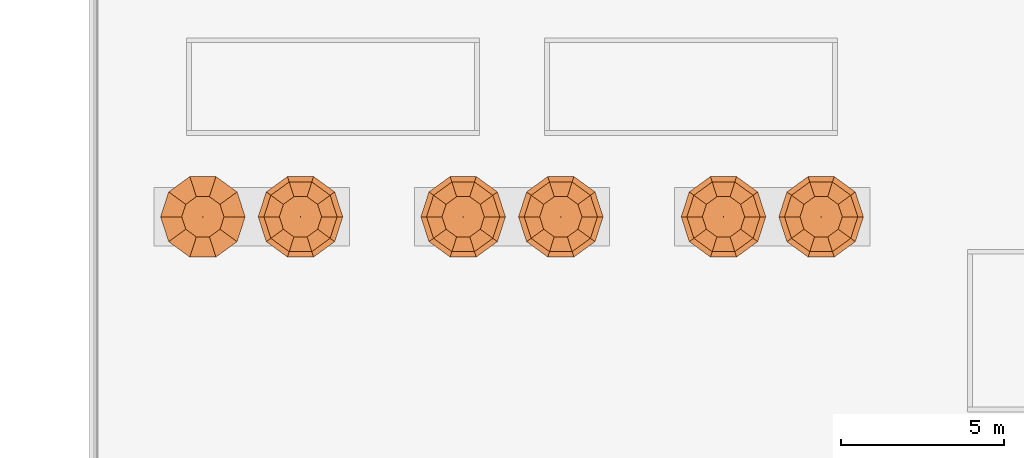
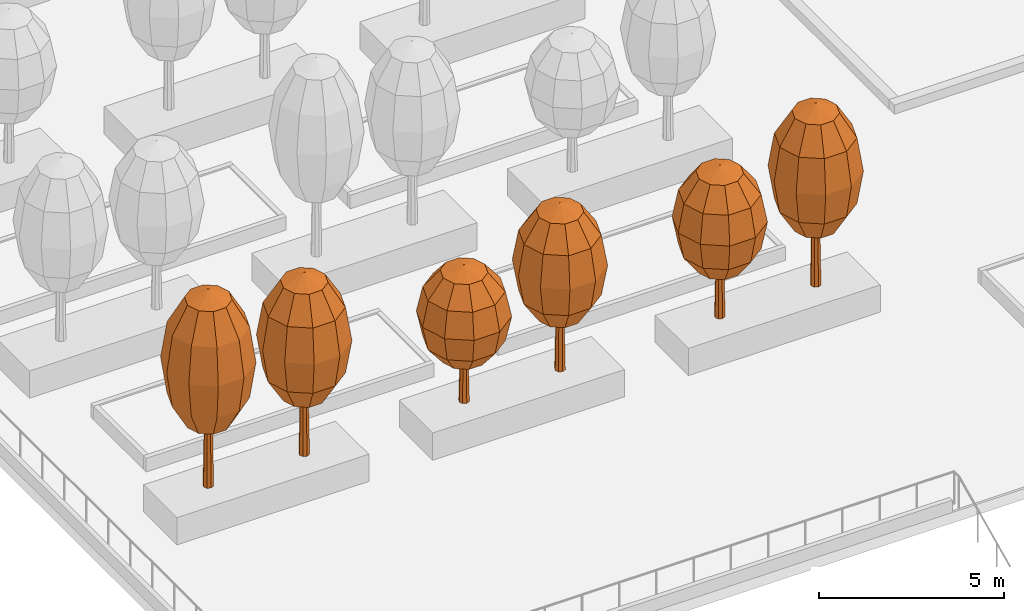
# One storey, part 93 of 100: 6 proxies.
"""IFC4 building model written with IfcOpenShell, lengths in metres."""

from ifc_helpers import new_model, si_unit, direction, frame, origin, place, context, subcontext, project, spatial, triangles, element, save


model = new_model("IFC4")

# Units and contexts
model_context = context("Model", 3, precision=1e-05, world=origin(), true_north=direction((0.0, 1.0)))
body_context = subcontext(model_context, "Body", "Model", "MODEL_VIEW")
ifc_project = project(units=[si_unit("LENGTHUNIT", "METRE"), si_unit("AREAUNIT", "SQUARE_METRE"), si_unit("VOLUMEUNIT", "CUBIC_METRE"), si_unit("PLANEANGLEUNIT", "RADIAN"), si_unit("MASSUNIT", "GRAM", prefix="KILO")], contexts=[model_context])

# Site, building, storey
site_placement = place(None, origin())
site = spatial("IfcSite", under=ifc_project, at=site_placement, CompositionType="ELEMENT")
building_placement = place(site_placement, origin())
building = spatial("IfcBuilding", under=site, at=building_placement, Name="Hakoniwa Tower and Hamabe Station Hall", CompositionType="ELEMENT")
storey_placement = place(building_placement, frame((0.0, 0.0, 9.0)))
storey = spatial("IfcBuildingStorey", under=building, at=storey_placement, Name="L02", CompositionType="ELEMENT", Elevation=9.0)

# Proxies
proxy_1_placement = place(storey_placement, frame((-20.5, -57.0, 0.89990234375)))
element("IfcBuildingElementProxy", 1, at=proxy_1_placement, inside=storey, Name="Tree Quercus phillyraeoides 01-1", ObjectType="TREE", PredefinedType="USERDEFINED", context=body_context, shape_type="Tessellation", body=[
    triangles([(0.14990234375, 0.0, 0.0), (0.106201171875, 0.106201171875, 0.0), (0.0, 0.14990234375, 0.0), (-0.106201171875, 0.106201171875, 0.0), (-0.14990234375, 0.0, 0.0), (-0.106201171875, -0.106201171875, 0.0), (0.0, -0.14990234375, 0.0), (0.106201171875, -0.106201171875, 0.0), (0.090087890625, 0.0, 3.926025390625), (0.063720703125, 0.063720703125, 3.926025390625), (0.0, 0.090087890625, 3.926025390625), (-0.063720703125, 0.063720703125, 3.926025390625), (-0.090087890625, 0.0, 3.926025390625), (-0.063720703125, -0.063720703125, 3.926025390625), (0.0, -0.090087890625, 3.926025390625), (0.063720703125, -0.063720703125, 3.926025390625), (0.0, 0.0, 0.0), (0.0, 0.0, 3.926025390625)], [[1, 2, 10], [1, 10, 9], [17, 2, 1], [18, 9, 10], [2, 3, 11], [2, 11, 10], [17, 3, 2], [18, 10, 11], [3, 4, 12], [3, 12, 11], [17, 4, 3], [18, 11, 12], [4, 5, 13], [4, 13, 12], [17, 5, 4], [18, 12, 13], [5, 6, 14], [5, 14, 13], [17, 6, 5], [18, 13, 14], [6, 7, 15], [6, 15, 14], [17, 7, 6], [18, 14, 15], [7, 8, 16], [7, 16, 15], [17, 8, 7], [18, 15, 16], [8, 1, 9], [8, 9, 16], [17, 1, 8], [18, 16, 9]], closed=True),
    triangles([(0.0, 0.0, 1.820068359375), (0.64990234375, 0.0, 2.133544921875), (0.52587890625, 0.382080078125, 2.133544921875), (0.200927734375, 0.6181640625, 2.133544921875), (-0.200927734375, 0.6181640625, 2.133544921875), (-0.52587890625, 0.382080078125, 2.133544921875), (-0.64990234375, 0.0, 2.133544921875), (-0.52587890625, -0.382080078125, 2.133544921875), (-0.200927734375, -0.6181640625, 2.133544921875), (0.200927734375, -0.6181640625, 2.133544921875), (0.52587890625, -0.382080078125, 2.133544921875), (1.1259765625, 0.0, 2.989990234375), (0.910888671875, 0.661865234375, 2.989990234375), (0.347900390625, 1.07080078125, 2.989990234375), (-0.347900390625, 1.07080078125, 2.989990234375), (-0.910888671875, 0.661865234375, 2.989990234375), (-1.1259765625, 0.0, 2.989990234375), (-0.910888671875, -0.661865234375, 2.989990234375), (-0.347900390625, -1.07080078125, 2.989990234375), (0.347900390625, -1.07080078125, 2.989990234375), (0.910888671875, -0.661865234375, 2.989990234375), (1.300048828125, 0.0, 4.159912109375), (1.0517578125, 0.76416015625, 4.159912109375), (0.40185546875, 1.236328125, 4.159912109375), (-0.40185546875, 1.236328125, 4.159912109375), (-1.0517578125, 0.76416015625, 4.159912109375), (-1.300048828125, 0.0, 4.159912109375), (-1.0517578125, -0.76416015625, 4.159912109375), (-0.40185546875, -1.236328125, 4.159912109375), (0.40185546875, -1.236328125, 4.159912109375), (1.0517578125, -0.76416015625, 4.159912109375), (1.1259765625, 0.0, 5.330078125), (0.910888671875, 0.661865234375, 5.330078125), (0.347900390625, 1.07080078125, 5.330078125), (-0.347900390625, 1.07080078125, 5.330078125), (-0.910888671875, 0.661865234375, 5.330078125), (-1.1259765625, 0.0, 5.330078125), (-0.910888671875, -0.661865234375, 5.330078125), (-0.347900390625, -1.07080078125, 5.330078125), (0.347900390625, -1.07080078125, 5.330078125), (0.910888671875, -0.661865234375, 5.330078125), (0.64990234375, 0.0, 6.1865234375), (0.52587890625, 0.382080078125, 6.1865234375), (0.200927734375, 0.6181640625, 6.1865234375), (-0.200927734375, 0.6181640625, 6.1865234375), (-0.52587890625, 0.382080078125, 6.1865234375), (-0.64990234375, 0.0, 6.1865234375), (-0.52587890625, -0.382080078125, 6.1865234375), (-0.200927734375, -0.6181640625, 6.1865234375), (0.200927734375, -0.6181640625, 6.1865234375), (0.52587890625, -0.382080078125, 6.1865234375), (0.0, 0.0, 6.5)], [[1, 3, 2], [1, 4, 3], [1, 5, 4], [1, 6, 5], [1, 7, 6], [1, 8, 7], [1, 9, 8], [1, 10, 9], [1, 11, 10], [1, 2, 11], [2, 3, 13], [2, 13, 12], [3, 4, 14], [3, 14, 13], [4, 5, 15], [4, 15, 14], [5, 6, 16], [5, 16, 15], [6, 7, 17], [6, 17, 16], [7, 8, 18], [7, 18, 17], [8, 9, 19], [8, 19, 18], [9, 10, 20], [9, 20, 19], [10, 11, 21], [10, 21, 20], [11, 2, 12], [11, 12, 21], [12, 13, 23], [12, 23, 22], [13, 14, 24], [13, 24, 23], [14, 15, 25], [14, 25, 24], [15, 16, 26], [15, 26, 25], [16, 17, 27], [16, 27, 26], [17, 18, 28], [17, 28, 27], [18, 19, 29], [18, 29, 28], [19, 20, 30], [19, 30, 29], [20, 21, 31], [20, 31, 30], [21, 12, 22], [21, 22, 31], [22, 23, 33], [22, 33, 32], [23, 24, 34], [23, 34, 33], [24, 25, 35], [24, 35, 34], [25, 26, 36], [25, 36, 35], [26, 27, 37], [26, 37, 36], [27, 28, 38], [27, 38, 37], [28, 29, 39], [28, 39, 38], [29, 30, 40], [29, 40, 39], [30, 31, 41], [30, 41, 40], [31, 22, 32], [31, 32, 41], [32, 33, 43], [32, 43, 42], [33, 34, 44], [33, 44, 43], [34, 35, 45], [34, 45, 44], [35, 36, 46], [35, 46, 45], [36, 37, 47], [36, 47, 46], [37, 38, 48], [37, 48, 47], [38, 39, 49], [38, 49, 48], [39, 40, 50], [39, 50, 49], [40, 41, 51], [40, 51, 50], [41, 32, 42], [41, 42, 51], [52, 42, 43], [52, 43, 44], [52, 44, 45], [52, 45, 46], [52, 46, 47], [52, 47, 48], [52, 48, 49], [52, 49, 50], [52, 50, 51], [52, 51, 42]], closed=True),
])
proxy_2_placement = place(storey_placement, frame((-17.5, -57.0, 0.89990234375)))
element("IfcBuildingElementProxy", 2, at=proxy_2_placement, inside=storey, Name="Tree Ilex rotunda 01-2", ObjectType="TREE", PredefinedType="USERDEFINED", context=body_context, shape_type="Tessellation", body=[
    triangles([(0.14990234375, 0.0, 0.0), (0.106201171875, 0.106201171875, 0.0), (0.0, 0.14990234375, 0.0), (-0.106201171875, 0.106201171875, 0.0), (-0.14990234375, 0.0, 0.0), (-0.106201171875, -0.106201171875, 0.0), (0.0, -0.14990234375, 0.0), (0.106201171875, -0.106201171875, 0.0), (0.090087890625, 0.0, 3.6240234375), (0.063720703125, 0.063720703125, 3.6240234375), (0.0, 0.090087890625, 3.6240234375), (-0.063720703125, 0.063720703125, 3.6240234375), (-0.090087890625, 0.0, 3.6240234375), (-0.063720703125, -0.063720703125, 3.6240234375), (0.0, -0.090087890625, 3.6240234375), (0.063720703125, -0.063720703125, 3.6240234375), (0.0, 0.0, 0.0), (0.0, 0.0, 3.6240234375)], [[1, 2, 10], [1, 10, 9], [17, 2, 1], [18, 9, 10], [2, 3, 11], [2, 11, 10], [17, 3, 2], [18, 10, 11], [3, 4, 12], [3, 12, 11], [17, 4, 3], [18, 11, 12], [4, 5, 13], [4, 13, 12], [17, 5, 4], [18, 12, 13], [5, 6, 14], [5, 14, 13], [17, 6, 5], [18, 13, 14], [6, 7, 15], [6, 15, 14], [17, 7, 6], [18, 14, 15], [7, 8, 16], [7, 16, 15], [17, 8, 7], [18, 15, 16], [8, 1, 9], [8, 9, 16], [17, 1, 8], [18, 16, 9]], closed=True),
    triangles([(0.0, 0.0, 1.679931640625), (0.64990234375, 0.0, 1.969482421875), (0.52587890625, 0.382080078125, 1.969482421875), (0.200927734375, 0.6181640625, 1.969482421875), (-0.200927734375, 0.6181640625, 1.969482421875), (-0.52587890625, 0.382080078125, 1.969482421875), (-0.64990234375, 0.0, 1.969482421875), (-0.52587890625, -0.382080078125, 1.969482421875), (-0.200927734375, -0.6181640625, 1.969482421875), (0.200927734375, -0.6181640625, 1.969482421875), (0.52587890625, -0.382080078125, 1.969482421875), (1.1259765625, 0.0, 2.760009765625), (0.910888671875, 0.661865234375, 2.760009765625), (0.347900390625, 1.07080078125, 2.760009765625), (-0.347900390625, 1.07080078125, 2.760009765625), (-0.910888671875, 0.661865234375, 2.760009765625), (-1.1259765625, 0.0, 2.760009765625), (-0.910888671875, -0.661865234375, 2.760009765625), (-0.347900390625, -1.07080078125, 2.760009765625), (0.347900390625, -1.07080078125, 2.760009765625), (0.910888671875, -0.661865234375, 2.760009765625), (1.300048828125, 0.0, 3.840087890625), (1.0517578125, 0.76416015625, 3.840087890625), (0.40185546875, 1.236328125, 3.840087890625), (-0.40185546875, 1.236328125, 3.840087890625), (-1.0517578125, 0.76416015625, 3.840087890625), (-1.300048828125, 0.0, 3.840087890625), (-1.0517578125, -0.76416015625, 3.840087890625), (-0.40185546875, -1.236328125, 3.840087890625), (0.40185546875, -1.236328125, 3.840087890625), (1.0517578125, -0.76416015625, 3.840087890625), (1.1259765625, 0.0, 4.919921875), (0.910888671875, 0.661865234375, 4.919921875), (0.347900390625, 1.07080078125, 4.919921875), (-0.347900390625, 1.07080078125, 4.919921875), (-0.910888671875, 0.661865234375, 4.919921875), (-1.1259765625, 0.0, 4.919921875), (-0.910888671875, -0.661865234375, 4.919921875), (-0.347900390625, -1.07080078125, 4.919921875), (0.347900390625, -1.07080078125, 4.919921875), (0.910888671875, -0.661865234375, 4.919921875), (0.64990234375, 0.0, 5.710693359375), (0.52587890625, 0.382080078125, 5.710693359375), (0.200927734375, 0.6181640625, 5.710693359375), (-0.200927734375, 0.6181640625, 5.710693359375), (-0.52587890625, 0.382080078125, 5.710693359375), (-0.64990234375, 0.0, 5.710693359375), (-0.52587890625, -0.382080078125, 5.710693359375), (-0.200927734375, -0.6181640625, 5.710693359375), (0.200927734375, -0.6181640625, 5.710693359375), (0.52587890625, -0.382080078125, 5.710693359375), (0.0, 0.0, 6.0)], [[1, 3, 2], [1, 4, 3], [1, 5, 4], [1, 6, 5], [1, 7, 6], [1, 8, 7], [1, 9, 8], [1, 10, 9], [1, 11, 10], [1, 2, 11], [2, 3, 13], [2, 13, 12], [3, 4, 14], [3, 14, 13], [4, 5, 15], [4, 15, 14], [5, 6, 16], [5, 16, 15], [6, 7, 17], [6, 17, 16], [7, 8, 18], [7, 18, 17], [8, 9, 19], [8, 19, 18], [9, 10, 20], [9, 20, 19], [10, 11, 21], [10, 21, 20], [11, 2, 12], [11, 12, 21], [12, 13, 23], [12, 23, 22], [13, 14, 24], [13, 24, 23], [14, 15, 25], [14, 25, 24], [15, 16, 26], [15, 26, 25], [16, 17, 27], [16, 27, 26], [17, 18, 28], [17, 28, 27], [18, 19, 29], [18, 29, 28], [19, 20, 30], [19, 30, 29], [20, 21, 31], [20, 31, 30], [21, 12, 22], [21, 22, 31], [22, 23, 33], [22, 33, 32], [23, 24, 34], [23, 34, 33], [24, 25, 35], [24, 35, 34], [25, 26, 36], [25, 36, 35], [26, 27, 37], [26, 37, 36], [27, 28, 38], [27, 38, 37], [28, 29, 39], [28, 39, 38], [29, 30, 40], [29, 40, 39], [30, 31, 41], [30, 41, 40], [31, 22, 32], [31, 32, 41], [32, 33, 43], [32, 43, 42], [33, 34, 44], [33, 44, 43], [34, 35, 45], [34, 45, 44], [35, 36, 46], [35, 46, 45], [36, 37, 47], [36, 47, 46], [37, 38, 48], [37, 48, 47], [38, 39, 49], [38, 49, 48], [39, 40, 50], [39, 50, 49], [40, 41, 51], [40, 51, 50], [41, 32, 42], [41, 42, 51], [52, 42, 43], [52, 43, 44], [52, 44, 45], [52, 45, 46], [52, 46, 47], [52, 47, 48], [52, 48, 49], [52, 49, 50], [52, 50, 51], [52, 51, 42]], closed=True),
])
proxy_3_placement = place(storey_placement, frame((-12.5, -57.0, 0.89990234375)))
element("IfcBuildingElementProxy", 3, at=proxy_3_placement, inside=storey, Name="Tree Camellia sasanqua 02-1", ObjectType="TREE", PredefinedType="USERDEFINED", context=body_context, shape_type="Tessellation", body=[
    triangles([(0.14990234375, 0.0, 0.0), (0.106201171875, 0.106201171875, 0.0), (0.0, 0.14990234375, 0.0), (-0.106201171875, 0.106201171875, 0.0), (-0.14990234375, 0.0, 0.0), (-0.106201171875, -0.106201171875, 0.0), (0.0, -0.14990234375, 0.0), (0.106201171875, -0.106201171875, 0.0), (0.090087890625, 0.0, 2.718017578125), (0.063720703125, 0.063720703125, 2.718017578125), (0.0, 0.090087890625, 2.718017578125), (-0.063720703125, 0.063720703125, 2.718017578125), (-0.090087890625, 0.0, 2.718017578125), (-0.063720703125, -0.063720703125, 2.718017578125), (0.0, -0.090087890625, 2.718017578125), (0.063720703125, -0.063720703125, 2.718017578125), (0.0, 0.0, 0.0), (0.0, 0.0, 2.718017578125)], [[1, 2, 10], [1, 10, 9], [17, 2, 1], [18, 9, 10], [2, 3, 11], [2, 11, 10], [17, 3, 2], [18, 10, 11], [3, 4, 12], [3, 12, 11], [17, 4, 3], [18, 11, 12], [4, 5, 13], [4, 13, 12], [17, 5, 4], [18, 12, 13], [5, 6, 14], [5, 14, 13], [17, 6, 5], [18, 13, 14], [6, 7, 15], [6, 15, 14], [17, 7, 6], [18, 14, 15], [7, 8, 16], [7, 16, 15], [17, 8, 7], [18, 15, 16], [8, 1, 9], [8, 9, 16], [17, 1, 8], [18, 16, 9]], closed=True),
    triangles([(0.0, 0.0, 1.260009765625), (0.64990234375, 0.0, 1.47705078125), (0.52587890625, 0.382080078125, 1.47705078125), (0.200927734375, 0.6181640625, 1.47705078125), (-0.200927734375, 0.6181640625, 1.47705078125), (-0.52587890625, 0.382080078125, 1.47705078125), (-0.64990234375, 0.0, 1.47705078125), (-0.52587890625, -0.382080078125, 1.47705078125), (-0.200927734375, -0.6181640625, 1.47705078125), (0.200927734375, -0.6181640625, 1.47705078125), (0.52587890625, -0.382080078125, 1.47705078125), (1.1259765625, 0.0, 2.070068359375), (0.910888671875, 0.661865234375, 2.070068359375), (0.347900390625, 1.07080078125, 2.070068359375), (-0.347900390625, 1.07080078125, 2.070068359375), (-0.910888671875, 0.661865234375, 2.070068359375), (-1.1259765625, 0.0, 2.070068359375), (-0.910888671875, -0.661865234375, 2.070068359375), (-0.347900390625, -1.07080078125, 2.070068359375), (0.347900390625, -1.07080078125, 2.070068359375), (0.910888671875, -0.661865234375, 2.070068359375), (1.300048828125, 0.0, 2.8798828125), (1.0517578125, 0.76416015625, 2.8798828125), (0.40185546875, 1.236328125, 2.8798828125), (-0.40185546875, 1.236328125, 2.8798828125), (-1.0517578125, 0.76416015625, 2.8798828125), (-1.300048828125, 0.0, 2.8798828125), (-1.0517578125, -0.76416015625, 2.8798828125), (-0.40185546875, -1.236328125, 2.8798828125), (0.40185546875, -1.236328125, 2.8798828125), (1.0517578125, -0.76416015625, 2.8798828125), (1.1259765625, 0.0, 3.68994140625), (0.910888671875, 0.661865234375, 3.68994140625), (0.347900390625, 1.07080078125, 3.68994140625), (-0.347900390625, 1.07080078125, 3.68994140625), (-0.910888671875, 0.661865234375, 3.68994140625), (-1.1259765625, 0.0, 3.68994140625), (-0.910888671875, -0.661865234375, 3.68994140625), (-0.347900390625, -1.07080078125, 3.68994140625), (0.347900390625, -1.07080078125, 3.68994140625), (0.910888671875, -0.661865234375, 3.68994140625), (0.64990234375, 0.0, 4.282958984375), (0.52587890625, 0.382080078125, 4.282958984375), (0.200927734375, 0.6181640625, 4.282958984375), (-0.200927734375, 0.6181640625, 4.282958984375), (-0.52587890625, 0.382080078125, 4.282958984375), (-0.64990234375, 0.0, 4.282958984375), (-0.52587890625, -0.382080078125, 4.282958984375), (-0.200927734375, -0.6181640625, 4.282958984375), (0.200927734375, -0.6181640625, 4.282958984375), (0.52587890625, -0.382080078125, 4.282958984375), (0.0, 0.0, 4.5)], [[1, 3, 2], [1, 4, 3], [1, 5, 4], [1, 6, 5], [1, 7, 6], [1, 8, 7], [1, 9, 8], [1, 10, 9], [1, 11, 10], [1, 2, 11], [2, 3, 13], [2, 13, 12], [3, 4, 14], [3, 14, 13], [4, 5, 15], [4, 15, 14], [5, 6, 16], [5, 16, 15], [6, 7, 17], [6, 17, 16], [7, 8, 18], [7, 18, 17], [8, 9, 19], [8, 19, 18], [9, 10, 20], [9, 20, 19], [10, 11, 21], [10, 21, 20], [11, 2, 12], [11, 12, 21], [12, 13, 23], [12, 23, 22], [13, 14, 24], [13, 24, 23], [14, 15, 25], [14, 25, 24], [15, 16, 26], [15, 26, 25], [16, 17, 27], [16, 27, 26], [17, 18, 28], [17, 28, 27], [18, 19, 29], [18, 29, 28], [19, 20, 30], [19, 30, 29], [20, 21, 31], [20, 31, 30], [21, 12, 22], [21, 22, 31], [22, 23, 33], [22, 33, 32], [23, 24, 34], [23, 34, 33], [24, 25, 35], [24, 35, 34], [25, 26, 36], [25, 36, 35], [26, 27, 37], [26, 37, 36], [27, 28, 38], [27, 38, 37], [28, 29, 39], [28, 39, 38], [29, 30, 40], [29, 40, 39], [30, 31, 41], [30, 41, 40], [31, 22, 32], [31, 32, 41], [32, 33, 43], [32, 43, 42], [33, 34, 44], [33, 44, 43], [34, 35, 45], [34, 45, 44], [35, 36, 46], [35, 46, 45], [36, 37, 47], [36, 47, 46], [37, 38, 48], [37, 48, 47], [38, 39, 49], [38, 49, 48], [39, 40, 50], [39, 50, 49], [40, 41, 51], [40, 51, 50], [41, 32, 42], [41, 42, 51], [52, 42, 43], [52, 43, 44], [52, 44, 45], [52, 45, 46], [52, 46, 47], [52, 47, 48], [52, 48, 49], [52, 49, 50], [52, 50, 51], [52, 51, 42]], closed=True),
])
proxy_4_placement = place(storey_placement, frame((-9.5, -57.0, 0.89990234375)))
element("IfcBuildingElementProxy", 4, at=proxy_4_placement, inside=storey, Name="Tree Ternstroemia gymnanthera 02-2", ObjectType="TREE", PredefinedType="USERDEFINED", context=body_context, shape_type="Tessellation", body=[
    triangles([(0.14990234375, 0.0, 0.0), (0.106201171875, 0.106201171875, 0.0), (0.0, 0.14990234375, 0.0), (-0.106201171875, 0.106201171875, 0.0), (-0.14990234375, 0.0, 0.0), (-0.106201171875, -0.106201171875, 0.0), (0.0, -0.14990234375, 0.0), (0.106201171875, -0.106201171875, 0.0), (0.090087890625, 0.0, 3.322021484375), (0.063720703125, 0.063720703125, 3.322021484375), (0.0, 0.090087890625, 3.322021484375), (-0.063720703125, 0.063720703125, 3.322021484375), (-0.090087890625, 0.0, 3.322021484375), (-0.063720703125, -0.063720703125, 3.322021484375), (0.0, -0.090087890625, 3.322021484375), (0.063720703125, -0.063720703125, 3.322021484375), (0.0, 0.0, 0.0), (0.0, 0.0, 3.322021484375)], [[1, 2, 10], [1, 10, 9], [17, 2, 1], [18, 9, 10], [2, 3, 11], [2, 11, 10], [17, 3, 2], [18, 10, 11], [3, 4, 12], [3, 12, 11], [17, 4, 3], [18, 11, 12], [4, 5, 13], [4, 13, 12], [17, 5, 4], [18, 12, 13], [5, 6, 14], [5, 14, 13], [17, 6, 5], [18, 13, 14], [6, 7, 15], [6, 15, 14], [17, 7, 6], [18, 14, 15], [7, 8, 16], [7, 16, 15], [17, 8, 7], [18, 15, 16], [8, 1, 9], [8, 9, 16], [17, 1, 8], [18, 16, 9]], closed=True),
    triangles([(0.0, 0.0, 1.5400390625), (0.64990234375, 0.0, 1.80517578125), (0.52587890625, 0.382080078125, 1.80517578125), (0.200927734375, 0.6181640625, 1.80517578125), (-0.200927734375, 0.6181640625, 1.80517578125), (-0.52587890625, 0.382080078125, 1.80517578125), (-0.64990234375, 0.0, 1.80517578125), (-0.52587890625, -0.382080078125, 1.80517578125), (-0.200927734375, -0.6181640625, 1.80517578125), (0.200927734375, -0.6181640625, 1.80517578125), (0.52587890625, -0.382080078125, 1.80517578125), (1.1259765625, 0.0, 2.530029296875), (0.910888671875, 0.661865234375, 2.530029296875), (0.347900390625, 1.07080078125, 2.530029296875), (-0.347900390625, 1.07080078125, 2.530029296875), (-0.910888671875, 0.661865234375, 2.530029296875), (-1.1259765625, 0.0, 2.530029296875), (-0.910888671875, -0.661865234375, 2.530029296875), (-0.347900390625, -1.07080078125, 2.530029296875), (0.347900390625, -1.07080078125, 2.530029296875), (0.910888671875, -0.661865234375, 2.530029296875), (1.300048828125, 0.0, 3.52001953125), (1.0517578125, 0.76416015625, 3.52001953125), (0.40185546875, 1.236328125, 3.52001953125), (-0.40185546875, 1.236328125, 3.52001953125), (-1.0517578125, 0.76416015625, 3.52001953125), (-1.300048828125, 0.0, 3.52001953125), (-1.0517578125, -0.76416015625, 3.52001953125), (-0.40185546875, -1.236328125, 3.52001953125), (0.40185546875, -1.236328125, 3.52001953125), (1.0517578125, -0.76416015625, 3.52001953125), (1.1259765625, 0.0, 4.510009765625), (0.910888671875, 0.661865234375, 4.510009765625), (0.347900390625, 1.07080078125, 4.510009765625), (-0.347900390625, 1.07080078125, 4.510009765625), (-0.910888671875, 0.661865234375, 4.510009765625), (-1.1259765625, 0.0, 4.510009765625), (-0.910888671875, -0.661865234375, 4.510009765625), (-0.347900390625, -1.07080078125, 4.510009765625), (0.347900390625, -1.07080078125, 4.510009765625), (0.910888671875, -0.661865234375, 4.510009765625), (0.64990234375, 0.0, 5.234619140625), (0.52587890625, 0.382080078125, 5.234619140625), (0.200927734375, 0.6181640625, 5.234619140625), (-0.200927734375, 0.6181640625, 5.234619140625), (-0.52587890625, 0.382080078125, 5.234619140625), (-0.64990234375, 0.0, 5.234619140625), (-0.52587890625, -0.382080078125, 5.234619140625), (-0.200927734375, -0.6181640625, 5.234619140625), (0.200927734375, -0.6181640625, 5.234619140625), (0.52587890625, -0.382080078125, 5.234619140625), (0.0, 0.0, 5.5)], [[1, 3, 2], [1, 4, 3], [1, 5, 4], [1, 6, 5], [1, 7, 6], [1, 8, 7], [1, 9, 8], [1, 10, 9], [1, 11, 10], [1, 2, 11], [2, 3, 13], [2, 13, 12], [3, 4, 14], [3, 14, 13], [4, 5, 15], [4, 15, 14], [5, 6, 16], [5, 16, 15], [6, 7, 17], [6, 17, 16], [7, 8, 18], [7, 18, 17], [8, 9, 19], [8, 19, 18], [9, 10, 20], [9, 20, 19], [10, 11, 21], [10, 21, 20], [11, 2, 12], [11, 12, 21], [12, 13, 23], [12, 23, 22], [13, 14, 24], [13, 24, 23], [14, 15, 25], [14, 25, 24], [15, 16, 26], [15, 26, 25], [16, 17, 27], [16, 27, 26], [17, 18, 28], [17, 28, 27], [18, 19, 29], [18, 29, 28], [19, 20, 30], [19, 30, 29], [20, 21, 31], [20, 31, 30], [21, 12, 22], [21, 22, 31], [22, 23, 33], [22, 33, 32], [23, 24, 34], [23, 34, 33], [24, 25, 35], [24, 35, 34], [25, 26, 36], [25, 36, 35], [26, 27, 37], [26, 37, 36], [27, 28, 38], [27, 38, 37], [28, 29, 39], [28, 39, 38], [29, 30, 40], [29, 40, 39], [30, 31, 41], [30, 41, 40], [31, 22, 32], [31, 32, 41], [32, 33, 43], [32, 43, 42], [33, 34, 44], [33, 44, 43], [34, 35, 45], [34, 45, 44], [35, 36, 46], [35, 46, 45], [36, 37, 47], [36, 47, 46], [37, 38, 48], [37, 48, 47], [38, 39, 49], [38, 49, 48], [39, 40, 50], [39, 50, 49], [40, 41, 51], [40, 51, 50], [41, 32, 42], [41, 42, 51], [52, 42, 43], [52, 43, 44], [52, 44, 45], [52, 45, 46], [52, 46, 47], [52, 47, 48], [52, 48, 49], [52, 49, 50], [52, 50, 51], [52, 51, 42]], closed=True),
])
proxy_5_placement = place(storey_placement, frame((-4.5, -57.0, 0.89990234375)))
element("IfcBuildingElementProxy", 5, at=proxy_5_placement, inside=storey, Name="Tree Ilex pedunculosa 03-1", ObjectType="TREE", PredefinedType="USERDEFINED", context=body_context, shape_type="Tessellation", body=[
    triangles([(0.14990234375, 0.0, 0.0), (0.106201171875, 0.106201171875, 0.0), (0.0, 0.14990234375, 0.0), (-0.106201171875, 0.106201171875, 0.0), (-0.14990234375, 0.0, 0.0), (-0.106201171875, -0.106201171875, 0.0), (0.0, -0.14990234375, 0.0), (0.106201171875, -0.106201171875, 0.0), (0.090087890625, 0.0, 3.02001953125), (0.063720703125, 0.063720703125, 3.02001953125), (0.0, 0.090087890625, 3.02001953125), (-0.063720703125, 0.063720703125, 3.02001953125), (-0.090087890625, 0.0, 3.02001953125), (-0.063720703125, -0.063720703125, 3.02001953125), (0.0, -0.090087890625, 3.02001953125), (0.063720703125, -0.063720703125, 3.02001953125), (0.0, 0.0, 0.0), (0.0, 0.0, 3.02001953125)], [[1, 2, 10], [1, 10, 9], [17, 2, 1], [18, 9, 10], [2, 3, 11], [2, 11, 10], [17, 3, 2], [18, 10, 11], [3, 4, 12], [3, 12, 11], [17, 4, 3], [18, 11, 12], [4, 5, 13], [4, 13, 12], [17, 5, 4], [18, 12, 13], [5, 6, 14], [5, 14, 13], [17, 6, 5], [18, 13, 14], [6, 7, 15], [6, 15, 14], [17, 7, 6], [18, 14, 15], [7, 8, 16], [7, 16, 15], [17, 8, 7], [18, 15, 16], [8, 1, 9], [8, 9, 16], [17, 1, 8], [18, 16, 9]], closed=True),
    triangles([(0.0, 0.0, 1.39990234375), (0.64990234375, 0.0, 1.64111328125), (0.52587890625, 0.382080078125, 1.64111328125), (0.200927734375, 0.6181640625, 1.64111328125), (-0.200927734375, 0.6181640625, 1.64111328125), (-0.52587890625, 0.382080078125, 1.64111328125), (-0.64990234375, 0.0, 1.64111328125), (-0.52587890625, -0.382080078125, 1.64111328125), (-0.200927734375, -0.6181640625, 1.64111328125), (0.200927734375, -0.6181640625, 1.64111328125), (0.52587890625, -0.382080078125, 1.64111328125), (1.1259765625, 0.0, 2.300048828125), (0.910888671875, 0.661865234375, 2.300048828125), (0.347900390625, 1.07080078125, 2.300048828125), (-0.347900390625, 1.07080078125, 2.300048828125), (-0.910888671875, 0.661865234375, 2.300048828125), (-1.1259765625, 0.0, 2.300048828125), (-0.910888671875, -0.661865234375, 2.300048828125), (-0.347900390625, -1.07080078125, 2.300048828125), (0.347900390625, -1.07080078125, 2.300048828125), (0.910888671875, -0.661865234375, 2.300048828125), (1.300048828125, 0.0, 3.199951171875), (1.0517578125, 0.76416015625, 3.199951171875), (0.40185546875, 1.236328125, 3.199951171875), (-0.40185546875, 1.236328125, 3.199951171875), (-1.0517578125, 0.76416015625, 3.199951171875), (-1.300048828125, 0.0, 3.199951171875), (-1.0517578125, -0.76416015625, 3.199951171875), (-0.40185546875, -1.236328125, 3.199951171875), (0.40185546875, -1.236328125, 3.199951171875), (1.0517578125, -0.76416015625, 3.199951171875), (1.1259765625, 0.0, 4.10009765625), (0.910888671875, 0.661865234375, 4.10009765625), (0.347900390625, 1.07080078125, 4.10009765625), (-0.347900390625, 1.07080078125, 4.10009765625), (-0.910888671875, 0.661865234375, 4.10009765625), (-1.1259765625, 0.0, 4.10009765625), (-0.910888671875, -0.661865234375, 4.10009765625), (-0.347900390625, -1.07080078125, 4.10009765625), (0.347900390625, -1.07080078125, 4.10009765625), (0.910888671875, -0.661865234375, 4.10009765625), (0.64990234375, 0.0, 4.7587890625), (0.52587890625, 0.382080078125, 4.7587890625), (0.200927734375, 0.6181640625, 4.7587890625), (-0.200927734375, 0.6181640625, 4.7587890625), (-0.52587890625, 0.382080078125, 4.7587890625), (-0.64990234375, 0.0, 4.7587890625), (-0.52587890625, -0.382080078125, 4.7587890625), (-0.200927734375, -0.6181640625, 4.7587890625), (0.200927734375, -0.6181640625, 4.7587890625), (0.52587890625, -0.382080078125, 4.7587890625), (0.0, 0.0, 5.0)], [[1, 3, 2], [1, 4, 3], [1, 5, 4], [1, 6, 5], [1, 7, 6], [1, 8, 7], [1, 9, 8], [1, 10, 9], [1, 11, 10], [1, 2, 11], [2, 3, 13], [2, 13, 12], [3, 4, 14], [3, 14, 13], [4, 5, 15], [4, 15, 14], [5, 6, 16], [5, 16, 15], [6, 7, 17], [6, 17, 16], [7, 8, 18], [7, 18, 17], [8, 9, 19], [8, 19, 18], [9, 10, 20], [9, 20, 19], [10, 11, 21], [10, 21, 20], [11, 2, 12], [11, 12, 21], [12, 13, 23], [12, 23, 22], [13, 14, 24], [13, 24, 23], [14, 15, 25], [14, 25, 24], [15, 16, 26], [15, 26, 25], [16, 17, 27], [16, 27, 26], [17, 18, 28], [17, 28, 27], [18, 19, 29], [18, 29, 28], [19, 20, 30], [19, 30, 29], [20, 21, 31], [20, 31, 30], [21, 12, 22], [21, 22, 31], [22, 23, 33], [22, 33, 32], [23, 24, 34], [23, 34, 33], [24, 25, 35], [24, 35, 34], [25, 26, 36], [25, 36, 35], [26, 27, 37], [26, 37, 36], [27, 28, 38], [27, 38, 37], [28, 29, 39], [28, 39, 38], [29, 30, 40], [29, 40, 39], [30, 31, 41], [30, 41, 40], [31, 22, 32], [31, 32, 41], [32, 33, 43], [32, 43, 42], [33, 34, 44], [33, 44, 43], [34, 35, 45], [34, 45, 44], [35, 36, 46], [35, 46, 45], [36, 37, 47], [36, 47, 46], [37, 38, 48], [37, 48, 47], [38, 39, 49], [38, 49, 48], [39, 40, 50], [39, 50, 49], [40, 41, 51], [40, 51, 50], [41, 32, 42], [41, 42, 51], [52, 42, 43], [52, 43, 44], [52, 44, 45], [52, 45, 46], [52, 46, 47], [52, 47, 48], [52, 48, 49], [52, 49, 50], [52, 50, 51], [52, 51, 42]], closed=True),
])
proxy_6_placement = place(storey_placement, frame((-1.5, -57.0, 0.89990234375)))
element("IfcBuildingElementProxy", 6, at=proxy_6_placement, inside=storey, Name="Tree Biota orientalis 03-2", ObjectType="TREE", PredefinedType="USERDEFINED", context=body_context, shape_type="Tessellation", body=[
    triangles([(0.14990234375, 0.0, 0.0), (0.106201171875, 0.106201171875, 0.0), (0.0, 0.14990234375, 0.0), (-0.106201171875, 0.106201171875, 0.0), (-0.14990234375, 0.0, 0.0), (-0.106201171875, -0.106201171875, 0.0), (0.0, -0.14990234375, 0.0), (0.106201171875, -0.106201171875, 0.0), (0.090087890625, 0.0, 3.6240234375), (0.063720703125, 0.063720703125, 3.6240234375), (0.0, 0.090087890625, 3.6240234375), (-0.063720703125, 0.063720703125, 3.6240234375), (-0.090087890625, 0.0, 3.6240234375), (-0.063720703125, -0.063720703125, 3.6240234375), (0.0, -0.090087890625, 3.6240234375), (0.063720703125, -0.063720703125, 3.6240234375), (0.0, 0.0, 0.0), (0.0, 0.0, 3.6240234375)], [[1, 2, 10], [1, 10, 9], [17, 2, 1], [18, 9, 10], [2, 3, 11], [2, 11, 10], [17, 3, 2], [18, 10, 11], [3, 4, 12], [3, 12, 11], [17, 4, 3], [18, 11, 12], [4, 5, 13], [4, 13, 12], [17, 5, 4], [18, 12, 13], [5, 6, 14], [5, 14, 13], [17, 6, 5], [18, 13, 14], [6, 7, 15], [6, 15, 14], [17, 7, 6], [18, 14, 15], [7, 8, 16], [7, 16, 15], [17, 8, 7], [18, 15, 16], [8, 1, 9], [8, 9, 16], [17, 1, 8], [18, 16, 9]], closed=True),
    triangles([(0.0, 0.0, 1.679931640625), (0.64990234375, 0.0, 1.969482421875), (0.52587890625, 0.382080078125, 1.969482421875), (0.200927734375, 0.6181640625, 1.969482421875), (-0.200927734375, 0.6181640625, 1.969482421875), (-0.52587890625, 0.382080078125, 1.969482421875), (-0.64990234375, 0.0, 1.969482421875), (-0.52587890625, -0.382080078125, 1.969482421875), (-0.200927734375, -0.6181640625, 1.969482421875), (0.200927734375, -0.6181640625, 1.969482421875), (0.52587890625, -0.382080078125, 1.969482421875), (1.1259765625, 0.0, 2.760009765625), (0.910888671875, 0.661865234375, 2.760009765625), (0.347900390625, 1.07080078125, 2.760009765625), (-0.347900390625, 1.07080078125, 2.760009765625), (-0.910888671875, 0.661865234375, 2.760009765625), (-1.1259765625, 0.0, 2.760009765625), (-0.910888671875, -0.661865234375, 2.760009765625), (-0.347900390625, -1.07080078125, 2.760009765625), (0.347900390625, -1.07080078125, 2.760009765625), (0.910888671875, -0.661865234375, 2.760009765625), (1.300048828125, 0.0, 3.840087890625), (1.0517578125, 0.76416015625, 3.840087890625), (0.40185546875, 1.236328125, 3.840087890625), (-0.40185546875, 1.236328125, 3.840087890625), (-1.0517578125, 0.76416015625, 3.840087890625), (-1.300048828125, 0.0, 3.840087890625), (-1.0517578125, -0.76416015625, 3.840087890625), (-0.40185546875, -1.236328125, 3.840087890625), (0.40185546875, -1.236328125, 3.840087890625), (1.0517578125, -0.76416015625, 3.840087890625), (1.1259765625, 0.0, 4.919921875), (0.910888671875, 0.661865234375, 4.919921875), (0.347900390625, 1.07080078125, 4.919921875), (-0.347900390625, 1.07080078125, 4.919921875), (-0.910888671875, 0.661865234375, 4.919921875), (-1.1259765625, 0.0, 4.919921875), (-0.910888671875, -0.661865234375, 4.919921875), (-0.347900390625, -1.07080078125, 4.919921875), (0.347900390625, -1.07080078125, 4.919921875), (0.910888671875, -0.661865234375, 4.919921875), (0.64990234375, 0.0, 5.710693359375), (0.52587890625, 0.382080078125, 5.710693359375), (0.200927734375, 0.6181640625, 5.710693359375), (-0.200927734375, 0.6181640625, 5.710693359375), (-0.52587890625, 0.382080078125, 5.710693359375), (-0.64990234375, 0.0, 5.710693359375), (-0.52587890625, -0.382080078125, 5.710693359375), (-0.200927734375, -0.6181640625, 5.710693359375), (0.200927734375, -0.6181640625, 5.710693359375), (0.52587890625, -0.382080078125, 5.710693359375), (0.0, 0.0, 6.0)], [[1, 3, 2], [1, 4, 3], [1, 5, 4], [1, 6, 5], [1, 7, 6], [1, 8, 7], [1, 9, 8], [1, 10, 9], [1, 11, 10], [1, 2, 11], [2, 3, 13], [2, 13, 12], [3, 4, 14], [3, 14, 13], [4, 5, 15], [4, 15, 14], [5, 6, 16], [5, 16, 15], [6, 7, 17], [6, 17, 16], [7, 8, 18], [7, 18, 17], [8, 9, 19], [8, 19, 18], [9, 10, 20], [9, 20, 19], [10, 11, 21], [10, 21, 20], [11, 2, 12], [11, 12, 21], [12, 13, 23], [12, 23, 22], [13, 14, 24], [13, 24, 23], [14, 15, 25], [14, 25, 24], [15, 16, 26], [15, 26, 25], [16, 17, 27], [16, 27, 26], [17, 18, 28], [17, 28, 27], [18, 19, 29], [18, 29, 28], [19, 20, 30], [19, 30, 29], [20, 21, 31], [20, 31, 30], [21, 12, 22], [21, 22, 31], [22, 23, 33], [22, 33, 32], [23, 24, 34], [23, 34, 33], [24, 25, 35], [24, 35, 34], [25, 26, 36], [25, 36, 35], [26, 27, 37], [26, 37, 36], [27, 28, 38], [27, 38, 37], [28, 29, 39], [28, 39, 38], [29, 30, 40], [29, 40, 39], [30, 31, 41], [30, 41, 40], [31, 22, 32], [31, 32, 41], [32, 33, 43], [32, 43, 42], [33, 34, 44], [33, 44, 43], [34, 35, 45], [34, 45, 44], [35, 36, 46], [35, 46, 45], [36, 37, 47], [36, 47, 46], [37, 38, 48], [37, 48, 47], [38, 39, 49], [38, 49, 48], [39, 40, 50], [39, 50, 49], [40, 41, 51], [40, 51, 50], [41, 32, 42], [41, 42, 51], [52, 42, 43], [52, 43, 44], [52, 44, 45], [52, 45, 46], [52, 46, 47], [52, 47, 48], [52, 48, 49], [52, 49, 50], [52, 50, 51], [52, 51, 42]], closed=True),
])

save(model, "model.ifc")
